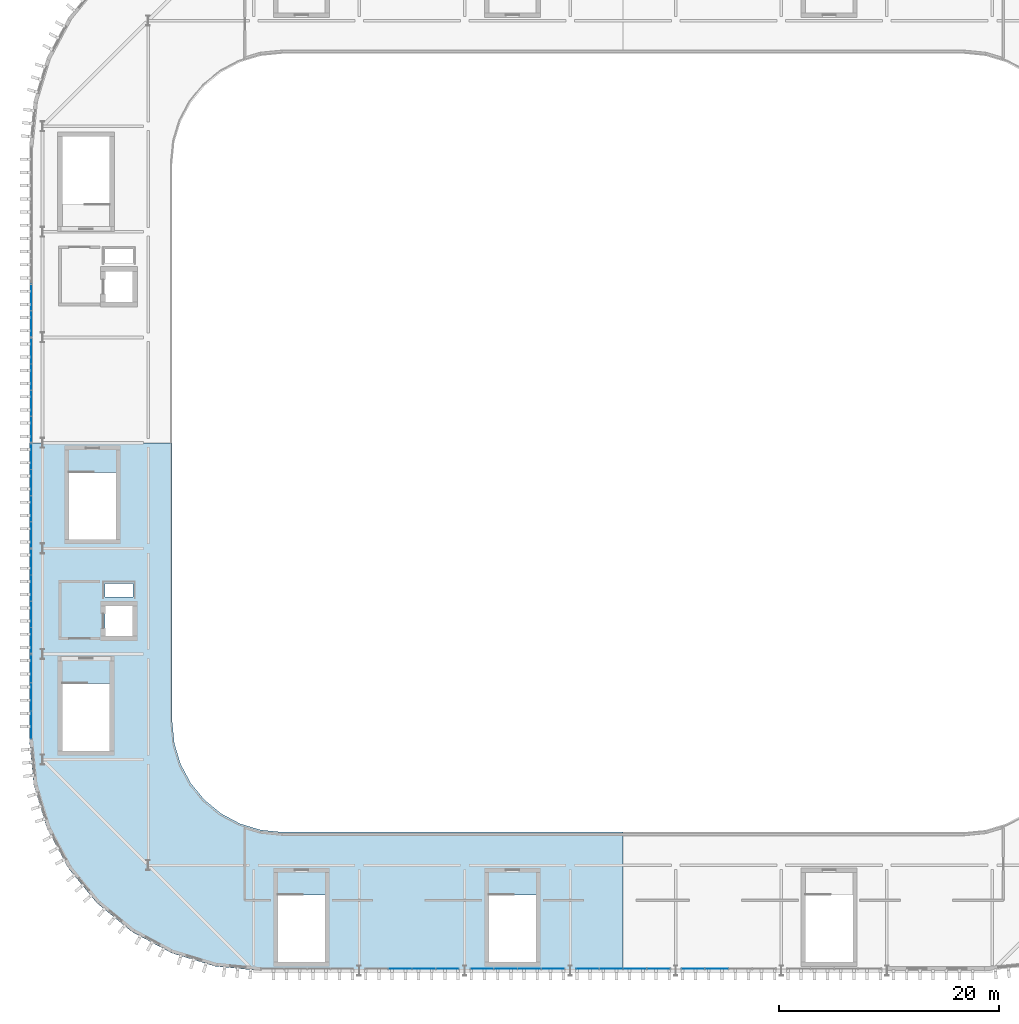
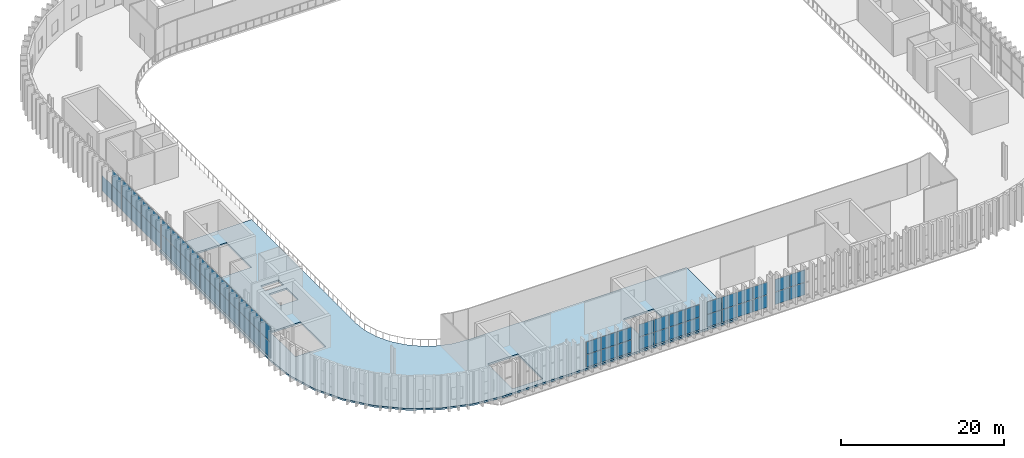
# One storey, part 26 of 45: 59 plates, 1 slab, 9 elements without a shape of their own.
"""IFC4 building model written with IfcOpenShell, lengths in metres."""

from ifc_helpers import new_model, si_unit, direction, frame, origin, origin_2d, place, context, subcontext, project, spatial, polyline, rectangle, outline, extrude, material, layer, layer_set, type_object, element, aggregate, save


model = new_model("IFC4")

# Units and contexts
model_context = context("Model", 3, precision=1e-05, world=origin(), true_north=direction((0.0, 1.0)))
body_context = subcontext(model_context, "Body", "Model", "MODEL_VIEW")
ifc_project = project(units=[si_unit("LENGTHUNIT", "METRE"), si_unit("AREAUNIT", "SQUARE_METRE"), si_unit("VOLUMEUNIT", "CUBIC_METRE"), si_unit("PLANEANGLEUNIT", "RADIAN"), si_unit("MASSUNIT", "GRAM", prefix="KILO")], contexts=[model_context])

# Site, building, storey
site_placement = place(None, origin())
site = spatial("IfcSite", under=ifc_project, at=site_placement, CompositionType="ELEMENT")
building_placement = place(site_placement, origin())
building = spatial("IfcBuilding", under=site, at=building_placement, Name="Caelomonte Colonnade Arena", CompositionType="ELEMENT")
storey_placement = place(building_placement, frame((0.0, 0.0, 23.10009765625)))
storey = spatial("IfcBuildingStorey", under=building, at=storey_placement, Name="L05", CompositionType="ELEMENT", Elevation=23.10009765625)

# Curtain wall, plates
ifc_material_1 = material(Name="Bronze anodised aluminium and low-E glazing", Category="aluminium")
ifc_layer_1 = layer(ifc_material_1, 0.179931640625)
ifc_layer_set_1 = layer_set([ifc_layer_1], Name="Bronze anodised aluminium and low-E glazing")
curtain_wall_type_1 = type_object("IfcCurtainWallType", Name="ENV-CW-CW-L05-96-39", PredefinedType="USERDEFINED", material=ifc_layer_set_1)
curtain_wall_1_placement = place(storey_placement, origin())
curtain_wall_1 = element("IfcCurtainWall", 1, at=curtain_wall_1_placement, inside=storey, type_object=curtain_wall_type_1, Name="L05 unitized curtain wall CW-L05-0912-0194", ObjectType="UNITIZED CURTAIN WALL", PredefinedType="USERDEFINED")
ifc_material_2 = material(Name="Solar-control bronze low-E double glazing", Category="glass")
ifc_layer_2 = layer(ifc_material_2, 0.035888671875)
ifc_layer_set_2 = layer_set([ifc_layer_2], Name="Solar-control bronze low-E double glazing")
plate_type = type_object("IfcPlateType", Name="ENV-CW-PAN36", PredefinedType="CURTAIN_PANEL", material=ifc_layer_set_2)
plate_1_placement = place(storey_placement, frame((90.119384765625, 19.3798828125, 0.06982421875), z_axis=(0.0, 0.0, 1.0), x_axis=(1.0, 0.0, 0.0)))
plate_1 = element("IfcPlate", 2, at=plate_1_placement, type_object=plate_type, Name="CW-L05-96-39 panel 2.1", PredefinedType="CURTAIN_PANEL", context=body_context, shape_type="SweptSolid", body=[
    extrude(rectangle(XDim=2.09130859375, YDim=0.035888671875, at=origin_2d()), origin(), (0.0, 0.0, 1.0), 1.841552734375),
])
plate_2_placement = place(storey_placement, frame((90.119384765625, 19.3798828125, 1.9814453125), z_axis=(0.0, 0.0, 1.0), x_axis=(1.0, 0.0, 0.0)))
plate_2 = element("IfcPlate", 3, at=plate_2_placement, type_object=plate_type, Name="CW-L05-96-39 panel 2.2", PredefinedType="CURTAIN_PANEL", context=body_context, shape_type="SweptSolid", body=[
    extrude(rectangle(XDim=2.09130859375, YDim=0.035888671875, at=origin_2d()), origin(), (0.0, 0.0, 1.0), 1.84130859375),
])
plate_3_placement = place(storey_placement, frame((92.28076171875, 19.3798828125, 0.06982421875), z_axis=(0.0, 0.0, 1.0), x_axis=(1.0, 0.0, 0.0)))
plate_3 = element("IfcPlate", 4, at=plate_3_placement, type_object=plate_type, Name="CW-L05-96-39 panel 3.1", PredefinedType="CURTAIN_PANEL", context=body_context, shape_type="SweptSolid", body=[
    extrude(rectangle(XDim=2.09130859375, YDim=0.035888671875, at=origin_2d()), origin(), (0.0, 0.0, 1.0), 1.841552734375),
])
plate_4_placement = place(storey_placement, frame((92.28076171875, 19.3798828125, 1.9814453125), z_axis=(0.0, 0.0, 1.0), x_axis=(1.0, 0.0, 0.0)))
plate_4 = element("IfcPlate", 5, at=plate_4_placement, type_object=plate_type, Name="CW-L05-96-39 panel 3.2", PredefinedType="CURTAIN_PANEL", context=body_context, shape_type="SweptSolid", body=[
    extrude(rectangle(XDim=2.09130859375, YDim=0.035888671875, at=origin_2d()), origin(), (0.0, 0.0, 1.0), 1.84130859375),
])
plate_5_placement = place(storey_placement, frame((94.424560546875, 19.3798828125, 0.06982421875), z_axis=(0.0, 0.0, 1.0), x_axis=(1.0, 0.0, 0.0)))
plate_5 = element("IfcPlate", 6, at=plate_5_placement, type_object=plate_type, Name="CW-L05-96-39 panel 4.1", PredefinedType="CURTAIN_PANEL", context=body_context, shape_type="SweptSolid", body=[
    extrude(rectangle(XDim=2.056396484375, YDim=0.035888671875, at=origin_2d()), origin(), (0.0, 0.0, 1.0), 1.841552734375),
])
plate_6_placement = place(storey_placement, frame((94.424560546875, 19.3798828125, 1.9814453125), z_axis=(0.0, 0.0, 1.0), x_axis=(1.0, 0.0, 0.0)))
plate_6 = element("IfcPlate", 7, at=plate_6_placement, type_object=plate_type, Name="CW-L05-96-39 panel 4.2", PredefinedType="CURTAIN_PANEL", context=body_context, shape_type="SweptSolid", body=[
    extrude(rectangle(XDim=2.056396484375, YDim=0.035888671875, at=origin_2d()), origin(), (0.0, 0.0, 1.0), 1.84130859375),
])
aggregate(curtain_wall_1, [plate_1, plate_2, plate_3, plate_4, plate_5, plate_6])

curtain_wall_2_placement = place(storey_placement, origin())
curtain_wall_2 = element("IfcCurtainWall", 8, at=curtain_wall_2_placement, inside=storey, type_object=curtain_wall_type_1, Name="L05 unitized curtain wall CW-L05-1008-0194", ObjectType="UNITIZED CURTAIN WALL", PredefinedType="USERDEFINED")
plate_7_placement = place(storey_placement, frame((97.575439453125, 19.3798828125, 0.06982421875), z_axis=(0.0, 0.0, 1.0), x_axis=(1.0, 0.0, 0.0)))
plate_7 = element("IfcPlate", 9, at=plate_7_placement, type_object=plate_type, Name="CW-L05-96-39 panel 1.1", PredefinedType="CURTAIN_PANEL", context=body_context, shape_type="SweptSolid", body=[
    extrude(rectangle(XDim=2.056396484375, YDim=0.035888671875, at=origin_2d()), origin(), (0.0, 0.0, 1.0), 1.841552734375),
])
plate_8_placement = place(storey_placement, frame((97.575439453125, 19.3798828125, 1.9814453125), z_axis=(0.0, 0.0, 1.0), x_axis=(1.0, 0.0, 0.0)))
plate_8 = element("IfcPlate", 10, at=plate_8_placement, type_object=plate_type, Name="CW-L05-96-39 panel 1.2", PredefinedType="CURTAIN_PANEL", context=body_context, shape_type="SweptSolid", body=[
    extrude(rectangle(XDim=2.056396484375, YDim=0.035888671875, at=origin_2d()), origin(), (0.0, 0.0, 1.0), 1.84130859375),
])
plate_9_placement = place(storey_placement, frame((99.71923828125, 19.3798828125, 0.06982421875), z_axis=(0.0, 0.0, 1.0), x_axis=(1.0, 0.0, 0.0)))
plate_9 = element("IfcPlate", 11, at=plate_9_placement, type_object=plate_type, Name="CW-L05-96-39 panel 2.1", PredefinedType="CURTAIN_PANEL", context=body_context, shape_type="SweptSolid", body=[
    extrude(rectangle(XDim=2.09130859375, YDim=0.035888671875, at=origin_2d()), origin(), (0.0, 0.0, 1.0), 1.841552734375),
])
plate_10_placement = place(storey_placement, frame((99.71923828125, 19.3798828125, 1.9814453125), z_axis=(0.0, 0.0, 1.0), x_axis=(1.0, 0.0, 0.0)))
plate_10 = element("IfcPlate", 12, at=plate_10_placement, type_object=plate_type, Name="CW-L05-96-39 panel 2.2", PredefinedType="CURTAIN_PANEL", context=body_context, shape_type="SweptSolid", body=[
    extrude(rectangle(XDim=2.09130859375, YDim=0.035888671875, at=origin_2d()), origin(), (0.0, 0.0, 1.0), 1.84130859375),
])
plate_11_placement = place(storey_placement, frame((101.880615234375, 19.3798828125, 0.06982421875), z_axis=(0.0, 0.0, 1.0), x_axis=(1.0, 0.0, 0.0)))
plate_11 = element("IfcPlate", 13, at=plate_11_placement, type_object=plate_type, Name="CW-L05-96-39 panel 3.1", PredefinedType="CURTAIN_PANEL", context=body_context, shape_type="SweptSolid", body=[
    extrude(rectangle(XDim=2.09130859375, YDim=0.035888671875, at=origin_2d()), origin(), (0.0, 0.0, 1.0), 1.841552734375),
])
plate_12_placement = place(storey_placement, frame((101.880615234375, 19.3798828125, 1.9814453125), z_axis=(0.0, 0.0, 1.0), x_axis=(1.0, 0.0, 0.0)))
plate_12 = element("IfcPlate", 14, at=plate_12_placement, type_object=plate_type, Name="CW-L05-96-39 panel 3.2", PredefinedType="CURTAIN_PANEL", context=body_context, shape_type="SweptSolid", body=[
    extrude(rectangle(XDim=2.09130859375, YDim=0.035888671875, at=origin_2d()), origin(), (0.0, 0.0, 1.0), 1.84130859375),
])
plate_13_placement = place(storey_placement, frame((104.024658203125, 19.3798828125, 0.06982421875), z_axis=(0.0, 0.0, 1.0), x_axis=(1.0, 0.0, 0.0)))
plate_13 = element("IfcPlate", 15, at=plate_13_placement, type_object=plate_type, Name="CW-L05-96-39 panel 4.1", PredefinedType="CURTAIN_PANEL", context=body_context, shape_type="SweptSolid", body=[
    extrude(rectangle(XDim=2.056396484375, YDim=0.035888671875, at=origin_2d()), origin(), (0.0, 0.0, 1.0), 1.841552734375),
])
plate_14_placement = place(storey_placement, frame((104.024658203125, 19.3798828125, 1.9814453125), z_axis=(0.0, 0.0, 1.0), x_axis=(1.0, 0.0, 0.0)))
plate_14 = element("IfcPlate", 16, at=plate_14_placement, type_object=plate_type, Name="CW-L05-96-39 panel 4.2", PredefinedType="CURTAIN_PANEL", context=body_context, shape_type="SweptSolid", body=[
    extrude(rectangle(XDim=2.056396484375, YDim=0.035888671875, at=origin_2d()), origin(), (0.0, 0.0, 1.0), 1.84130859375),
])
aggregate(curtain_wall_2, [plate_7, plate_8, plate_9, plate_10, plate_11, plate_12, plate_13, plate_14])

curtain_wall_3_placement = place(storey_placement, origin())
curtain_wall_3 = element("IfcCurtainWall", 17, at=curtain_wall_3_placement, inside=storey, type_object=curtain_wall_type_1, Name="L05 unitized curtain wall CW-L05-1104-0194", ObjectType="UNITIZED CURTAIN WALL", PredefinedType="USERDEFINED")
plate_15_placement = place(storey_placement, frame((107.17529296875, 19.3798828125, 0.06982421875), z_axis=(0.0, 0.0, 1.0), x_axis=(1.0, 0.0, 0.0)))
plate_15 = element("IfcPlate", 18, at=plate_15_placement, type_object=plate_type, Name="CW-L05-96-39 panel 1.1", PredefinedType="CURTAIN_PANEL", context=body_context, shape_type="SweptSolid", body=[
    extrude(rectangle(XDim=2.056396484375, YDim=0.035888671875, at=origin_2d()), origin(), (0.0, 0.0, 1.0), 1.841552734375),
])
plate_16_placement = place(storey_placement, frame((107.17529296875, 19.3798828125, 1.9814453125), z_axis=(0.0, 0.0, 1.0), x_axis=(1.0, 0.0, 0.0)))
plate_16 = element("IfcPlate", 19, at=plate_16_placement, type_object=plate_type, Name="CW-L05-96-39 panel 1.2", PredefinedType="CURTAIN_PANEL", context=body_context, shape_type="SweptSolid", body=[
    extrude(rectangle(XDim=2.056396484375, YDim=0.035888671875, at=origin_2d()), origin(), (0.0, 0.0, 1.0), 1.84130859375),
])
plate_17_placement = place(storey_placement, frame((109.3193359375, 19.3798828125, 0.06982421875), z_axis=(0.0, 0.0, 1.0), x_axis=(1.0, 0.0, 0.0)))
plate_17 = element("IfcPlate", 20, at=plate_17_placement, type_object=plate_type, Name="CW-L05-96-39 panel 2.1", PredefinedType="CURTAIN_PANEL", context=body_context, shape_type="SweptSolid", body=[
    extrude(rectangle(XDim=2.09130859375, YDim=0.035888671875, at=origin_2d()), origin(), (0.0, 0.0, 1.0), 1.841552734375),
])
plate_18_placement = place(storey_placement, frame((109.3193359375, 19.3798828125, 1.9814453125), z_axis=(0.0, 0.0, 1.0), x_axis=(1.0, 0.0, 0.0)))
plate_18 = element("IfcPlate", 21, at=plate_18_placement, type_object=plate_type, Name="CW-L05-96-39 panel 2.2", PredefinedType="CURTAIN_PANEL", context=body_context, shape_type="SweptSolid", body=[
    extrude(rectangle(XDim=2.09130859375, YDim=0.035888671875, at=origin_2d()), origin(), (0.0, 0.0, 1.0), 1.84130859375),
])
plate_19_placement = place(storey_placement, frame((111.480712890625, 19.3798828125, 0.06982421875), z_axis=(0.0, 0.0, 1.0), x_axis=(1.0, 0.0, 0.0)))
plate_19 = element("IfcPlate", 22, at=plate_19_placement, type_object=plate_type, Name="CW-L05-96-39 panel 3.1", PredefinedType="CURTAIN_PANEL", context=body_context, shape_type="SweptSolid", body=[
    extrude(rectangle(XDim=2.09130859375, YDim=0.035888671875, at=origin_2d()), origin(), (0.0, 0.0, 1.0), 1.841552734375),
])
plate_20_placement = place(storey_placement, frame((111.480712890625, 19.3798828125, 1.9814453125), z_axis=(0.0, 0.0, 1.0), x_axis=(1.0, 0.0, 0.0)))
plate_20 = element("IfcPlate", 23, at=plate_20_placement, type_object=plate_type, Name="CW-L05-96-39 panel 3.2", PredefinedType="CURTAIN_PANEL", context=body_context, shape_type="SweptSolid", body=[
    extrude(rectangle(XDim=2.09130859375, YDim=0.035888671875, at=origin_2d()), origin(), (0.0, 0.0, 1.0), 1.84130859375),
])
plate_21_placement = place(storey_placement, frame((113.62451171875, 19.3798828125, 0.06982421875), z_axis=(0.0, 0.0, 1.0), x_axis=(1.0, 0.0, 0.0)))
plate_21 = element("IfcPlate", 24, at=plate_21_placement, type_object=plate_type, Name="CW-L05-96-39 panel 4.1", PredefinedType="CURTAIN_PANEL", context=body_context, shape_type="SweptSolid", body=[
    extrude(rectangle(XDim=2.056396484375, YDim=0.035888671875, at=origin_2d()), origin(), (0.0, 0.0, 1.0), 1.841552734375),
])
plate_22_placement = place(storey_placement, frame((113.62451171875, 19.3798828125, 1.9814453125), z_axis=(0.0, 0.0, 1.0), x_axis=(1.0, 0.0, 0.0)))
plate_22 = element("IfcPlate", 25, at=plate_22_placement, type_object=plate_type, Name="CW-L05-96-39 panel 4.2", PredefinedType="CURTAIN_PANEL", context=body_context, shape_type="SweptSolid", body=[
    extrude(rectangle(XDim=2.056396484375, YDim=0.035888671875, at=origin_2d()), origin(), (0.0, 0.0, 1.0), 1.84130859375),
])
aggregate(curtain_wall_3, [plate_15, plate_16, plate_17, plate_18, plate_19, plate_20, plate_21, plate_22])

curtain_wall_4_placement = place(storey_placement, origin())
curtain_wall_4 = element("IfcCurtainWall", 26, at=curtain_wall_4_placement, inside=storey, type_object=curtain_wall_type_1, Name="L05 unitized curtain wall CW-L05-1200-0194", ObjectType="UNITIZED CURTAIN WALL", PredefinedType="USERDEFINED")
plate_23_placement = place(storey_placement, frame((116.775390625, 19.3798828125, 0.06982421875), z_axis=(0.0, 0.0, 1.0), x_axis=(1.0, 0.0, 0.0)))
plate_23 = element("IfcPlate", 27, at=plate_23_placement, type_object=plate_type, Name="CW-L05-96-39 panel 1.1", PredefinedType="CURTAIN_PANEL", context=body_context, shape_type="SweptSolid", body=[
    extrude(rectangle(XDim=2.056396484375, YDim=0.035888671875, at=origin_2d()), origin(), (0.0, 0.0, 1.0), 1.841552734375),
])
plate_24_placement = place(storey_placement, frame((116.775390625, 19.3798828125, 1.9814453125), z_axis=(0.0, 0.0, 1.0), x_axis=(1.0, 0.0, 0.0)))
plate_24 = element("IfcPlate", 28, at=plate_24_placement, type_object=plate_type, Name="CW-L05-96-39 panel 1.2", PredefinedType="CURTAIN_PANEL", context=body_context, shape_type="SweptSolid", body=[
    extrude(rectangle(XDim=2.056396484375, YDim=0.035888671875, at=origin_2d()), origin(), (0.0, 0.0, 1.0), 1.84130859375),
])
plate_25_placement = place(storey_placement, frame((118.919189453125, 19.3798828125, 0.06982421875), z_axis=(0.0, 0.0, 1.0), x_axis=(1.0, 0.0, 0.0)))
plate_25 = element("IfcPlate", 29, at=plate_25_placement, type_object=plate_type, Name="CW-L05-96-39 panel 2.1", PredefinedType="CURTAIN_PANEL", context=body_context, shape_type="SweptSolid", body=[
    extrude(rectangle(XDim=2.09130859375, YDim=0.035888671875, at=origin_2d()), origin(), (0.0, 0.0, 1.0), 1.841552734375),
])
plate_26_placement = place(storey_placement, frame((118.919189453125, 19.3798828125, 1.9814453125), z_axis=(0.0, 0.0, 1.0), x_axis=(1.0, 0.0, 0.0)))
plate_26 = element("IfcPlate", 30, at=plate_26_placement, type_object=plate_type, Name="CW-L05-96-39 panel 2.2", PredefinedType="CURTAIN_PANEL", context=body_context, shape_type="SweptSolid", body=[
    extrude(rectangle(XDim=2.09130859375, YDim=0.035888671875, at=origin_2d()), origin(), (0.0, 0.0, 1.0), 1.84130859375),
])
aggregate(curtain_wall_4, [plate_23, plate_24, plate_25, plate_26])

ifc_layer_3 = layer(ifc_material_1, 0.179931640625)
ifc_layer_set_3 = layer_set([ifc_layer_3], Name="Bronze anodised aluminium and low-E glazing")
curtain_wall_type_2 = type_object("IfcCurtainWallType", Name="ENV-CW-CW-L05-96-48", PredefinedType="USERDEFINED", material=ifc_layer_set_3)
curtain_wall_5_placement = place(storey_placement, origin())
curtain_wall_5 = element("IfcCurtainWall", 31, at=curtain_wall_5_placement, inside=storey, type_object=curtain_wall_type_2, Name="L05 unitized curtain wall CW-L05-0566-0816", ObjectType="UNITIZED CURTAIN WALL", PredefinedType="USERDEFINED")
plate_27_placement = place(storey_placement, frame((56.580078125, 80.409912109375, 0.06982421875), z_axis=(0.0, 0.0, 1.0), x_axis=(0.0, -1.0, 0.0)))
plate_27 = element("IfcPlate", 32, at=plate_27_placement, type_object=plate_type, Name="CW-L05-96-48 panel 3.1", PredefinedType="CURTAIN_PANEL", context=body_context, shape_type="SweptSolid", body=[
    extrude(rectangle(XDim=2.31005859375, YDim=0.035888671875, at=origin_2d()), origin(), (0.0, 0.0, 1.0), 2.304931640625),
])
plate_28_placement = place(storey_placement, frame((56.580078125, 78.047607421875, 0.06982421875), z_axis=(0.0, 0.0, 1.0), x_axis=(0.0, -1.0, 0.0)))
plate_28 = element("IfcPlate", 33, at=plate_28_placement, type_object=plate_type, Name="CW-L05-96-48 panel 4.1", PredefinedType="CURTAIN_PANEL", context=body_context, shape_type="SweptSolid", body=[
    extrude(rectangle(XDim=2.27490234375, YDim=0.035888671875, at=origin_2d()), origin(), (0.0, 0.0, 1.0), 2.304931640625),
])
plate_29_placement = place(storey_placement, frame((56.580078125, 78.047607421875, 2.44482421875), z_axis=(0.0, 0.0, 1.0), x_axis=(0.0, -1.0, 0.0)))
plate_29 = element("IfcPlate", 34, at=plate_29_placement, type_object=plate_type, Name="CW-L05-96-48 panel 4.2", PredefinedType="CURTAIN_PANEL", context=body_context, shape_type="SweptSolid", body=[
    extrude(rectangle(XDim=2.27490234375, YDim=0.035888671875, at=origin_2d()), origin(), (0.0, 0.0, 1.0), 2.304931640625),
])
aggregate(curtain_wall_5, [plate_27, plate_28, plate_29])

curtain_wall_6_placement = place(storey_placement, origin())
curtain_wall_6 = element("IfcCurtainWall", 35, at=curtain_wall_6_placement, inside=storey, type_object=curtain_wall_type_2, Name="L05 unitized curtain wall CW-L05-0566-0720", ObjectType="UNITIZED CURTAIN WALL", PredefinedType="USERDEFINED")
plate_30_placement = place(storey_placement, frame((56.580078125, 75.552490234375, 0.06982421875), z_axis=(0.0, 0.0, 1.0), x_axis=(0.0, -1.0, 0.0)))
plate_30 = element("IfcPlate", 36, at=plate_30_placement, type_object=plate_type, Name="CW-L05-96-48 panel 1.1", PredefinedType="CURTAIN_PANEL", context=body_context, shape_type="SweptSolid", body=[
    extrude(rectangle(XDim=2.27490234375, YDim=0.035888671875, at=origin_2d()), origin(), (0.0, 0.0, 1.0), 2.304931640625),
])
plate_31_placement = place(storey_placement, frame((56.580078125, 75.552490234375, 2.44482421875), z_axis=(0.0, 0.0, 1.0), x_axis=(0.0, -1.0, 0.0)))
plate_31 = element("IfcPlate", 37, at=plate_31_placement, type_object=plate_type, Name="CW-L05-96-48 panel 1.2", PredefinedType="CURTAIN_PANEL", context=body_context, shape_type="SweptSolid", body=[
    extrude(rectangle(XDim=2.27490234375, YDim=0.035888671875, at=origin_2d()), origin(), (0.0, 0.0, 1.0), 2.304931640625),
])
plate_32_placement = place(storey_placement, frame((56.580078125, 73.18994140625, 0.06982421875), z_axis=(0.0, 0.0, 1.0), x_axis=(0.0, -1.0, 0.0)))
plate_32 = element("IfcPlate", 38, at=plate_32_placement, type_object=plate_type, Name="CW-L05-96-48 panel 2.1", PredefinedType="CURTAIN_PANEL", context=body_context, shape_type="SweptSolid", body=[
    extrude(rectangle(XDim=2.31005859375, YDim=0.035888671875, at=origin_2d()), origin(), (0.0, 0.0, 1.0), 2.304931640625),
])
plate_33_placement = place(storey_placement, frame((56.580078125, 73.18994140625, 2.44482421875), z_axis=(0.0, 0.0, 1.0), x_axis=(0.0, -1.0, 0.0)))
plate_33 = element("IfcPlate", 39, at=plate_33_placement, type_object=plate_type, Name="CW-L05-96-48 panel 2.2", PredefinedType="CURTAIN_PANEL", context=body_context, shape_type="SweptSolid", body=[
    extrude(rectangle(XDim=2.31005859375, YDim=0.035888671875, at=origin_2d()), origin(), (0.0, 0.0, 1.0), 2.304931640625),
])
plate_34_placement = place(storey_placement, frame((56.580078125, 70.81005859375, 0.06982421875), z_axis=(0.0, 0.0, 1.0), x_axis=(0.0, -1.0, 0.0)))
plate_34 = element("IfcPlate", 40, at=plate_34_placement, type_object=plate_type, Name="CW-L05-96-48 panel 3.1", PredefinedType="CURTAIN_PANEL", context=body_context, shape_type="SweptSolid", body=[
    extrude(rectangle(XDim=2.31005859375, YDim=0.035888671875, at=origin_2d()), origin(), (0.0, 0.0, 1.0), 2.304931640625),
])
plate_35_placement = place(storey_placement, frame((56.580078125, 70.81005859375, 2.44482421875), z_axis=(0.0, 0.0, 1.0), x_axis=(0.0, -1.0, 0.0)))
plate_35 = element("IfcPlate", 41, at=plate_35_placement, type_object=plate_type, Name="CW-L05-96-48 panel 3.2", PredefinedType="CURTAIN_PANEL", context=body_context, shape_type="SweptSolid", body=[
    extrude(rectangle(XDim=2.31005859375, YDim=0.035888671875, at=origin_2d()), origin(), (0.0, 0.0, 1.0), 2.304931640625),
])
plate_36_placement = place(storey_placement, frame((56.580078125, 68.447509765625, 0.06982421875), z_axis=(0.0, 0.0, 1.0), x_axis=(0.0, -1.0, 0.0)))
plate_36 = element("IfcPlate", 42, at=plate_36_placement, type_object=plate_type, Name="CW-L05-96-48 panel 4.1", PredefinedType="CURTAIN_PANEL", context=body_context, shape_type="SweptSolid", body=[
    extrude(rectangle(XDim=2.27490234375, YDim=0.035888671875, at=origin_2d()), origin(), (0.0, 0.0, 1.0), 2.304931640625),
])
plate_37_placement = place(storey_placement, frame((56.580078125, 68.447509765625, 2.44482421875), z_axis=(0.0, 0.0, 1.0), x_axis=(0.0, -1.0, 0.0)))
plate_37 = element("IfcPlate", 43, at=plate_37_placement, type_object=plate_type, Name="CW-L05-96-48 panel 4.2", PredefinedType="CURTAIN_PANEL", context=body_context, shape_type="SweptSolid", body=[
    extrude(rectangle(XDim=2.27490234375, YDim=0.035888671875, at=origin_2d()), origin(), (0.0, 0.0, 1.0), 2.304931640625),
])
aggregate(curtain_wall_6, [plate_30, plate_31, plate_32, plate_33, plate_34, plate_35, plate_36, plate_37])

curtain_wall_7_placement = place(storey_placement, origin())
curtain_wall_7 = element("IfcCurtainWall", 44, at=curtain_wall_7_placement, inside=storey, type_object=curtain_wall_type_2, Name="L05 unitized curtain wall CW-L05-0566-0624", ObjectType="UNITIZED CURTAIN WALL", PredefinedType="USERDEFINED")
plate_38_placement = place(storey_placement, frame((56.580078125, 65.952392578125, 0.06982421875), z_axis=(0.0, 0.0, 1.0), x_axis=(0.0, -1.0, 0.0)))
plate_38 = element("IfcPlate", 45, at=plate_38_placement, type_object=plate_type, Name="CW-L05-96-48 panel 1.1", PredefinedType="CURTAIN_PANEL", context=body_context, shape_type="SweptSolid", body=[
    extrude(rectangle(XDim=2.27490234375, YDim=0.035888671875, at=origin_2d()), origin(), (0.0, 0.0, 1.0), 2.304931640625),
])
plate_39_placement = place(storey_placement, frame((56.580078125, 65.952392578125, 2.44482421875), z_axis=(0.0, 0.0, 1.0), x_axis=(0.0, -1.0, 0.0)))
plate_39 = element("IfcPlate", 46, at=plate_39_placement, type_object=plate_type, Name="CW-L05-96-48 panel 1.2", PredefinedType="CURTAIN_PANEL", context=body_context, shape_type="SweptSolid", body=[
    extrude(rectangle(XDim=2.27490234375, YDim=0.035888671875, at=origin_2d()), origin(), (0.0, 0.0, 1.0), 2.304931640625),
])
plate_40_placement = place(storey_placement, frame((56.580078125, 63.590087890625, 0.06982421875), z_axis=(0.0, 0.0, 1.0), x_axis=(0.0, -1.0, 0.0)))
plate_40 = element("IfcPlate", 47, at=plate_40_placement, type_object=plate_type, Name="CW-L05-96-48 panel 2.1", PredefinedType="CURTAIN_PANEL", context=body_context, shape_type="SweptSolid", body=[
    extrude(rectangle(XDim=2.31005859375, YDim=0.035888671875, at=origin_2d()), origin(), (0.0, 0.0, 1.0), 2.304931640625),
])
plate_41_placement = place(storey_placement, frame((56.580078125, 63.590087890625, 2.44482421875), z_axis=(0.0, 0.0, 1.0), x_axis=(0.0, -1.0, 0.0)))
plate_41 = element("IfcPlate", 48, at=plate_41_placement, type_object=plate_type, Name="CW-L05-96-48 panel 2.2", PredefinedType="CURTAIN_PANEL", context=body_context, shape_type="SweptSolid", body=[
    extrude(rectangle(XDim=2.31005859375, YDim=0.035888671875, at=origin_2d()), origin(), (0.0, 0.0, 1.0), 2.304931640625),
])
plate_42_placement = place(storey_placement, frame((56.580078125, 61.2099609375, 0.06982421875), z_axis=(0.0, 0.0, 1.0), x_axis=(0.0, -1.0, 0.0)))
plate_42 = element("IfcPlate", 49, at=plate_42_placement, type_object=plate_type, Name="CW-L05-96-48 panel 3.1", PredefinedType="CURTAIN_PANEL", context=body_context, shape_type="SweptSolid", body=[
    extrude(rectangle(XDim=2.31005859375, YDim=0.035888671875, at=origin_2d()), origin(), (0.0, 0.0, 1.0), 2.304931640625),
])
plate_43_placement = place(storey_placement, frame((56.580078125, 61.2099609375, 2.44482421875), z_axis=(0.0, 0.0, 1.0), x_axis=(0.0, -1.0, 0.0)))
plate_43 = element("IfcPlate", 50, at=plate_43_placement, type_object=plate_type, Name="CW-L05-96-48 panel 3.2", PredefinedType="CURTAIN_PANEL", context=body_context, shape_type="SweptSolid", body=[
    extrude(rectangle(XDim=2.31005859375, YDim=0.035888671875, at=origin_2d()), origin(), (0.0, 0.0, 1.0), 2.304931640625),
])
plate_44_placement = place(storey_placement, frame((56.580078125, 58.847412109375, 0.06982421875), z_axis=(0.0, 0.0, 1.0), x_axis=(0.0, -1.0, 0.0)))
plate_44 = element("IfcPlate", 51, at=plate_44_placement, type_object=plate_type, Name="CW-L05-96-48 panel 4.1", PredefinedType="CURTAIN_PANEL", context=body_context, shape_type="SweptSolid", body=[
    extrude(rectangle(XDim=2.27490234375, YDim=0.035888671875, at=origin_2d()), origin(), (0.0, 0.0, 1.0), 2.304931640625),
])
plate_45_placement = place(storey_placement, frame((56.580078125, 58.847412109375, 2.44482421875), z_axis=(0.0, 0.0, 1.0), x_axis=(0.0, -1.0, 0.0)))
plate_45 = element("IfcPlate", 52, at=plate_45_placement, type_object=plate_type, Name="CW-L05-96-48 panel 4.2", PredefinedType="CURTAIN_PANEL", context=body_context, shape_type="SweptSolid", body=[
    extrude(rectangle(XDim=2.27490234375, YDim=0.035888671875, at=origin_2d()), origin(), (0.0, 0.0, 1.0), 2.304931640625),
])
aggregate(curtain_wall_7, [plate_38, plate_39, plate_40, plate_41, plate_42, plate_43, plate_44, plate_45])

curtain_wall_8_placement = place(storey_placement, origin())
curtain_wall_8 = element("IfcCurtainWall", 53, at=curtain_wall_8_placement, inside=storey, type_object=curtain_wall_type_2, Name="L05 unitized curtain wall CW-L05-0566-0528", ObjectType="UNITIZED CURTAIN WALL", PredefinedType="USERDEFINED")
plate_46_placement = place(storey_placement, frame((56.580078125, 56.3525390625, 0.06982421875), z_axis=(0.0, 0.0, 1.0), x_axis=(0.0, -1.0, 0.0)))
plate_46 = element("IfcPlate", 54, at=plate_46_placement, type_object=plate_type, Name="CW-L05-96-48 panel 1.1", PredefinedType="CURTAIN_PANEL", context=body_context, shape_type="SweptSolid", body=[
    extrude(rectangle(XDim=2.27490234375, YDim=0.035888671875, at=origin_2d()), origin(), (0.0, 0.0, 1.0), 2.304931640625),
])
plate_47_placement = place(storey_placement, frame((56.580078125, 56.3525390625, 2.44482421875), z_axis=(0.0, 0.0, 1.0), x_axis=(0.0, -1.0, 0.0)))
plate_47 = element("IfcPlate", 55, at=plate_47_placement, type_object=plate_type, Name="CW-L05-96-48 panel 1.2", PredefinedType="CURTAIN_PANEL", context=body_context, shape_type="SweptSolid", body=[
    extrude(rectangle(XDim=2.27490234375, YDim=0.035888671875, at=origin_2d()), origin(), (0.0, 0.0, 1.0), 2.304931640625),
])
plate_48_placement = place(storey_placement, frame((56.580078125, 53.989990234375, 0.06982421875), z_axis=(0.0, 0.0, 1.0), x_axis=(0.0, -1.0, 0.0)))
plate_48 = element("IfcPlate", 56, at=plate_48_placement, type_object=plate_type, Name="CW-L05-96-48 panel 2.1", PredefinedType="CURTAIN_PANEL", context=body_context, shape_type="SweptSolid", body=[
    extrude(rectangle(XDim=2.31005859375, YDim=0.035888671875, at=origin_2d()), origin(), (0.0, 0.0, 1.0), 2.304931640625),
])
plate_49_placement = place(storey_placement, frame((56.580078125, 53.989990234375, 2.44482421875), z_axis=(0.0, 0.0, 1.0), x_axis=(0.0, -1.0, 0.0)))
plate_49 = element("IfcPlate", 57, at=plate_49_placement, type_object=plate_type, Name="CW-L05-96-48 panel 2.2", PredefinedType="CURTAIN_PANEL", context=body_context, shape_type="SweptSolid", body=[
    extrude(rectangle(XDim=2.31005859375, YDim=0.035888671875, at=origin_2d()), origin(), (0.0, 0.0, 1.0), 2.304931640625),
])
plate_50_placement = place(storey_placement, frame((56.580078125, 51.610107421875, 0.06982421875), z_axis=(0.0, 0.0, 1.0), x_axis=(0.0, -1.0, 0.0)))
plate_50 = element("IfcPlate", 58, at=plate_50_placement, type_object=plate_type, Name="CW-L05-96-48 panel 3.1", PredefinedType="CURTAIN_PANEL", context=body_context, shape_type="SweptSolid", body=[
    extrude(rectangle(XDim=2.31005859375, YDim=0.035888671875, at=origin_2d()), origin(), (0.0, 0.0, 1.0), 2.304931640625),
])
plate_51_placement = place(storey_placement, frame((56.580078125, 51.610107421875, 2.44482421875), z_axis=(0.0, 0.0, 1.0), x_axis=(0.0, -1.0, 0.0)))
plate_51 = element("IfcPlate", 59, at=plate_51_placement, type_object=plate_type, Name="CW-L05-96-48 panel 3.2", PredefinedType="CURTAIN_PANEL", context=body_context, shape_type="SweptSolid", body=[
    extrude(rectangle(XDim=2.31005859375, YDim=0.035888671875, at=origin_2d()), origin(), (0.0, 0.0, 1.0), 2.304931640625),
])
plate_52_placement = place(storey_placement, frame((56.580078125, 49.24755859375, 0.06982421875), z_axis=(0.0, 0.0, 1.0), x_axis=(0.0, -1.0, 0.0)))
plate_52 = element("IfcPlate", 60, at=plate_52_placement, type_object=plate_type, Name="CW-L05-96-48 panel 4.1", PredefinedType="CURTAIN_PANEL", context=body_context, shape_type="SweptSolid", body=[
    extrude(rectangle(XDim=2.27490234375, YDim=0.035888671875, at=origin_2d()), origin(), (0.0, 0.0, 1.0), 2.304931640625),
])
plate_53_placement = place(storey_placement, frame((56.580078125, 49.24755859375, 2.44482421875), z_axis=(0.0, 0.0, 1.0), x_axis=(0.0, -1.0, 0.0)))
plate_53 = element("IfcPlate", 61, at=plate_53_placement, type_object=plate_type, Name="CW-L05-96-48 panel 4.2", PredefinedType="CURTAIN_PANEL", context=body_context, shape_type="SweptSolid", body=[
    extrude(rectangle(XDim=2.27490234375, YDim=0.035888671875, at=origin_2d()), origin(), (0.0, 0.0, 1.0), 2.304931640625),
])
aggregate(curtain_wall_8, [plate_46, plate_47, plate_48, plate_49, plate_50, plate_51, plate_52, plate_53])

ifc_layer_4 = layer(ifc_material_1, 0.179931640625)
ifc_layer_set_4 = layer_set([ifc_layer_4], Name="Bronze anodised aluminium and low-E glazing")
curtain_wall_type_3 = type_object("IfcCurtainWallType", Name="ENV-CW-CW-L05-79-48", PredefinedType="USERDEFINED", material=ifc_layer_set_4)
curtain_wall_9_placement = place(storey_placement, origin())
curtain_wall_9 = element("IfcCurtainWall", 62, at=curtain_wall_9_placement, inside=storey, type_object=curtain_wall_type_3, Name="L05 unitized curtain wall CW-L05-0566-0440", ObjectType="UNITIZED CURTAIN WALL", PredefinedType="USERDEFINED")
plate_54_placement = place(storey_placement, frame((56.580078125, 46.65576171875, 0.06982421875), z_axis=(0.0, 0.0, 1.0), x_axis=(0.0, -1.0, 0.0)))
plate_54 = element("IfcPlate", 63, at=plate_54_placement, type_object=plate_type, Name="CW-L05-79-48 panel 1.1", PredefinedType="CURTAIN_PANEL", context=body_context, shape_type="SweptSolid", body=[
    extrude(rectangle(XDim=2.46826171875, YDim=0.035888671875, at=origin_2d()), origin(), (0.0, 0.0, 1.0), 2.304931640625),
])
plate_55_placement = place(storey_placement, frame((56.580078125, 46.65576171875, 2.44482421875), z_axis=(0.0, 0.0, 1.0), x_axis=(0.0, -1.0, 0.0)))
plate_55 = element("IfcPlate", 64, at=plate_55_placement, type_object=plate_type, Name="CW-L05-79-48 panel 1.2", PredefinedType="CURTAIN_PANEL", context=body_context, shape_type="SweptSolid", body=[
    extrude(rectangle(XDim=2.46826171875, YDim=0.035888671875, at=origin_2d()), origin(), (0.0, 0.0, 1.0), 2.304931640625),
])
plate_56_placement = place(storey_placement, frame((56.580078125, 44.10009765625, 0.06982421875), z_axis=(0.0, 0.0, 1.0), x_axis=(0.0, -1.0, 0.0)))
plate_56 = element("IfcPlate", 65, at=plate_56_placement, type_object=plate_type, Name="CW-L05-79-48 panel 2.1", PredefinedType="CURTAIN_PANEL", context=body_context, shape_type="SweptSolid", body=[
    extrude(rectangle(XDim=2.50341796875, YDim=0.035888671875, at=origin_2d()), origin(), (0.0, 0.0, 1.0), 2.304931640625),
])
plate_57_placement = place(storey_placement, frame((56.580078125, 44.10009765625, 2.44482421875), z_axis=(0.0, 0.0, 1.0), x_axis=(0.0, -1.0, 0.0)))
plate_57 = element("IfcPlate", 66, at=plate_57_placement, type_object=plate_type, Name="CW-L05-79-48 panel 2.2", PredefinedType="CURTAIN_PANEL", context=body_context, shape_type="SweptSolid", body=[
    extrude(rectangle(XDim=2.50341796875, YDim=0.035888671875, at=origin_2d()), origin(), (0.0, 0.0, 1.0), 2.304931640625),
])
plate_58_placement = place(storey_placement, frame((56.580078125, 41.544189453125, 0.06982421875), z_axis=(0.0, 0.0, 1.0), x_axis=(0.0, -1.0, 0.0)))
plate_58 = element("IfcPlate", 67, at=plate_58_placement, type_object=plate_type, Name="CW-L05-79-48 panel 3.1", PredefinedType="CURTAIN_PANEL", context=body_context, shape_type="SweptSolid", body=[
    extrude(rectangle(XDim=2.46826171875, YDim=0.035888671875, at=origin_2d()), origin(), (0.0, 0.0, 1.0), 2.304931640625),
])
plate_59_placement = place(storey_placement, frame((56.580078125, 41.544189453125, 2.44482421875), z_axis=(0.0, 0.0, 1.0), x_axis=(0.0, -1.0, 0.0)))
plate_59 = element("IfcPlate", 68, at=plate_59_placement, type_object=plate_type, Name="CW-L05-79-48 panel 3.2", PredefinedType="CURTAIN_PANEL", context=body_context, shape_type="SweptSolid", body=[
    extrude(rectangle(XDim=2.46826171875, YDim=0.035888671875, at=origin_2d()), origin(), (0.0, 0.0, 1.0), 2.304931640625),
])
aggregate(curtain_wall_9, [plate_54, plate_55, plate_56, plate_57, plate_58, plate_59])

# Slab
ifc_material_3 = material(Name="Concrete C40/50", Category="concrete")
ifc_layer_5 = layer(ifc_material_3, 0.260009765625)
ifc_layer_set_5 = layer_set([ifc_layer_5], Name="Concrete C40/50")
slab_type = type_object("IfcSlabType", Name="STR-SL-FLR26", PredefinedType="FLOOR", material=ifc_layer_set_5)
slab_placement = place(storey_placement, frame((0.0, 0.0, -0.260009765625)))
element("IfcSlab", 69, at=slab_placement, inside=storey, type_object=slab_type, Name="L05 structural floor slab SL-L05-V1-SW", PredefinedType="FLOOR", context=body_context, shape_type="SweptSolid", body=[
    extrude(outline(polyline([(73.302978515625, 19.603515625), (77.39990234375, 19.199951171875), (110.39990234375, 19.199951171875), (110.39990234375, 31.800048828125), (79.39990234375, 31.800048828125), (77.44921875, 31.9921875), (75.5732421875, 32.561279296875), (73.84423828125, 33.4853515625), (72.328857421875, 34.72900390625), (71.085205078125, 36.244384765625), (70.1611328125, 37.97314453125), (69.592041015625, 39.84912109375), (69.39990234375, 41.800048828125), (69.39990234375, 67.199951171875), (56.39990234375, 67.199951171875), (56.39990234375, 40.199951171875), (56.803466796875, 36.10302734375), (57.99853515625, 32.16357421875), (59.939208984375, 28.532958984375), (62.55078125, 25.350830078125), (65.73291015625, 22.739013671875), (69.363525390625, 20.798583984375), (73.302978515625, 19.603515625)]), holes=[polyline([(79.0, 26.10009765625), (83.300048828125, 26.10009765625), (83.300048828125, 20.0), (79.0, 20.0), (79.0, 26.10009765625)]), polyline([(102.5, 26.10009765625), (102.5, 20.0), (98.199951171875, 20.0), (98.199951171875, 26.10009765625), (102.5, 26.10009765625)]), polyline([(63.699951171875, 45.300048828125), (63.699951171875, 39.199951171875), (59.39990234375, 39.199951171875), (59.39990234375, 45.300048828125), (63.699951171875, 45.300048828125)]), polyline([(65.820068359375, 49.580078125), (63.280029296875, 49.580078125), (63.280029296875, 52.419921875), (65.820068359375, 52.419921875), (65.820068359375, 49.580078125)]), polyline([(63.280029296875, 53.179931640625), (63.280029296875, 54.419921875), (65.820068359375, 54.419921875), (65.820068359375, 53.179931640625), (63.280029296875, 53.179931640625)]), polyline([(64.300048828125, 64.5), (64.300048828125, 58.39990234375), (60.0, 58.39990234375), (60.0, 64.5), (64.300048828125, 64.5)])]), origin(), (0.0, 0.0, 1.0), 0.260009765625),
])

save(model, "model.ifc")
